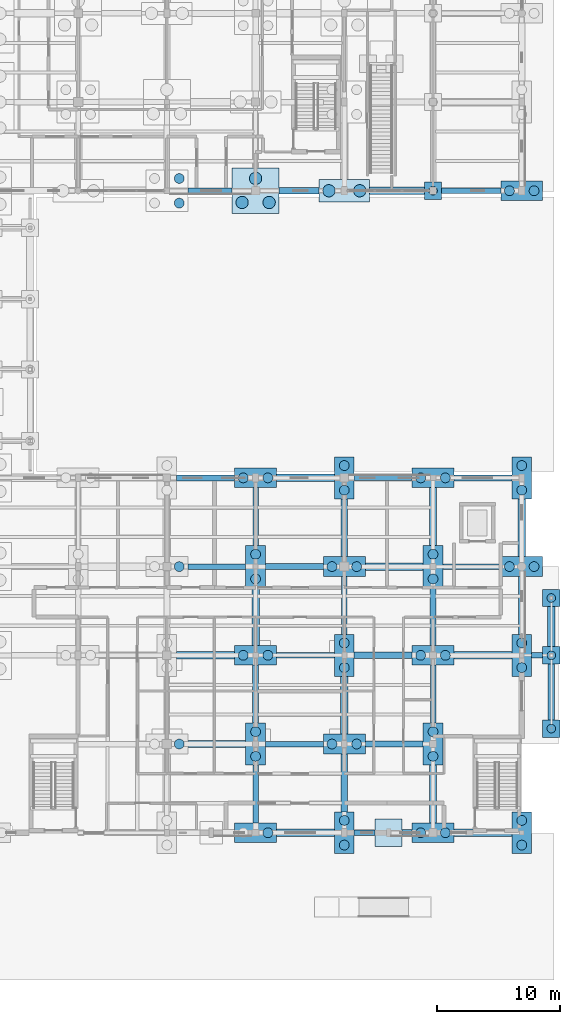
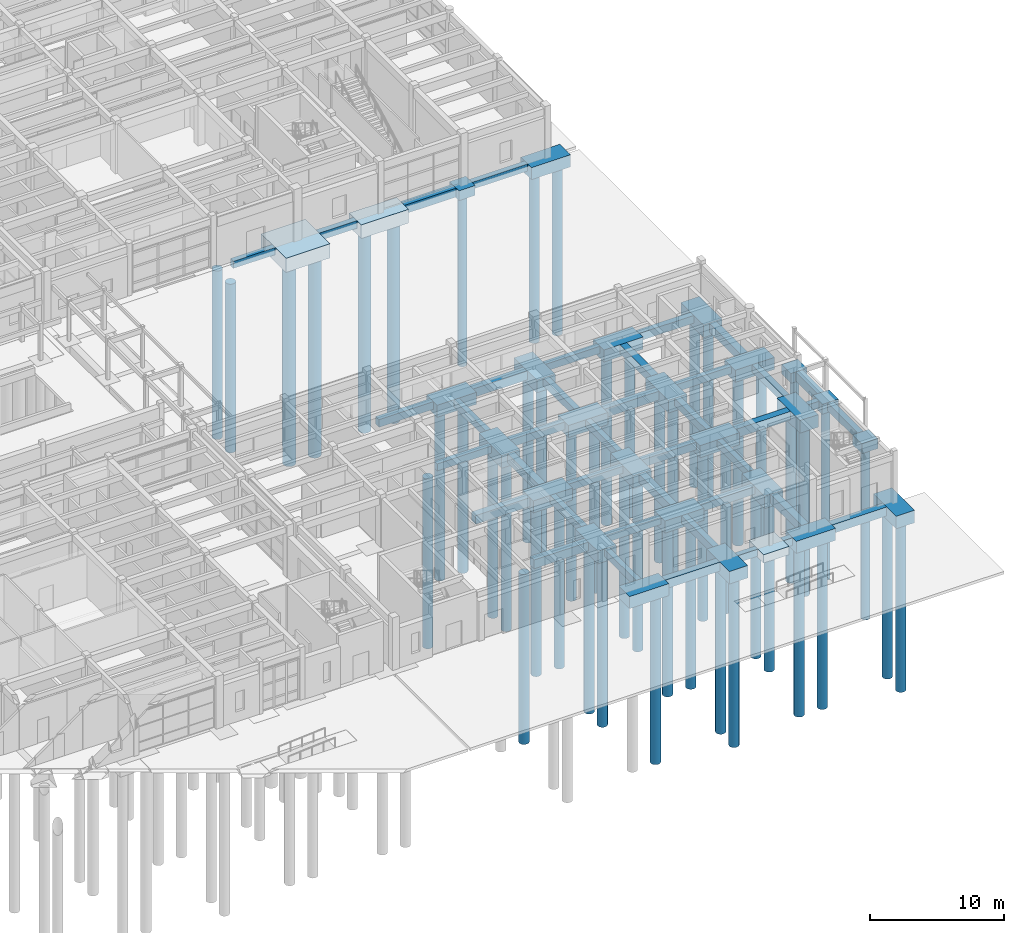
# One storey, part 11 of 143: 67 footings, 52 piles.
"""IFC4 building model written with IfcOpenShell, lengths in metres."""

from ifc_helpers import new_model, si_unit, direction, frame, origin, origin_2d, place, context, subcontext, project, spatial, rectangle, circle, extrude, material, material_profile, profile_set, type_object, element, save


model = new_model("IFC4")

# Units and contexts
model_context = context("Model", 3, precision=1e-05, world=origin(), true_north=direction((0.0, 1.0)))
body_context = subcontext(model_context, "Body", "Model", "MODEL_VIEW")
ifc_project = project(units=[si_unit("LENGTHUNIT", "METRE"), si_unit("AREAUNIT", "SQUARE_METRE"), si_unit("VOLUMEUNIT", "CUBIC_METRE"), si_unit("PLANEANGLEUNIT", "RADIAN"), si_unit("MASSUNIT", "GRAM", prefix="KILO")], contexts=[model_context])

# Site, building, storey
site_placement = place(None, origin())
site = spatial("IfcSite", under=ifc_project, at=site_placement, CompositionType="ELEMENT")
building_placement = place(site_placement, origin())
building = spatial("IfcBuilding", under=site, at=building_placement, Name="Steenspoor Specialist Clinic", CompositionType="ELEMENT")
storey_placement = place(building_placement, origin())
storey = spatial("IfcBuildingStorey", under=building, at=storey_placement, Name="L00", CompositionType="ELEMENT", Elevation=0.0)

# Footings
ifc_material = material(Name="Concrete C35/45", Category="concrete")
footing_type_1 = type_object("IfcFootingType", Name="FTG-PAD-220", PredefinedType="PAD_FOOTING", material=ifc_material)
footing_1_placement = place(storey_placement, frame((150.39990234375, 13.050048828125, -0.75), z_axis=(0.0, 0.0, 1.0), x_axis=(1.0, 0.0, 0.0)))
element("IfcFooting", 1, at=footing_1_placement, inside=storey, type_object=footing_type_1, Name="Pad Footing FTG-PAD-070", PredefinedType="PAD_FOOTING", context=body_context, shape_type="SweptSolid", body=[
    extrude(rectangle(XDim=2.199951171875, YDim=2.199951171875, at=origin_2d()), origin(), (0.0, 0.0, 1.0), 0.75),
])
footing_type_2 = type_object("IfcFootingType", Name="FTG-PC-1P-700", PredefinedType="PILE_CAP", material=ifc_material)
for number, where, z_axis, x_axis, name in (
    (2, (154.0, 65.14990234375, -0.89990234375), (0.0, 0.0, 1.0), (1.0, 0.0, 0.0), "Pile Cap FTG-PC-227"),
    (3, (163.60009765625, 21.5, -0.89990234375), (0.0, 0.0, 1.0), (1.0, 0.0, 0.0), "Pad Footing FTG-PAD-003"),
    (4, (163.60009765625, 27.449951171875, -0.89990234375), (0.0, 0.0, 1.0), (1.0, 0.0, 0.0), "Pad Footing FTG-PAD-004"),
    (5, (163.60009765625, 32.10009765625, -0.89990234375), (0.0, 0.0, 1.0), (1.0, 0.0, 0.0), "Pad Footing FTG-PAD-005"),
):
    element("IfcFooting", number, at=place(storey_placement, frame(where, z_axis=z_axis, x_axis=x_axis)), inside=storey, type_object=footing_type_2, Name=name, PredefinedType="PILE_CAP", context=body_context, shape_type="SweptSolid", body=[
        extrude(rectangle(XDim=1.39990234375, YDim=1.39990234375, at=origin_2d()), origin(), (0.0, 0.0, 1.0), 0.89990234375),
    ])
footing_type_3 = type_object("IfcFootingType", Name="FTG-PC-2P-1000", PredefinedType="PILE_CAP", material=ifc_material)
footing_2_placement = place(storey_placement, frame((146.800048828125, 65.14990234375, -1.25), z_axis=(0.0, 0.0, 1.0), x_axis=(1.0, 0.0, 0.0)))
element("IfcFooting", 6, at=footing_2_placement, inside=storey, type_object=footing_type_3, Name="Pile Cap FTG-PC-220", PredefinedType="PILE_CAP", context=body_context, shape_type="SweptSolid", body=[
    extrude(rectangle(XDim=4.10009765625, YDim=1.800048828125, at=origin_2d()), origin(), (0.0, 0.0, 1.0), 1.25),
])
footing_type_4 = type_object("IfcFootingType", Name="FTG-PC-2P-800X", PredefinedType="PILE_CAP", material=ifc_material)
for number, where, z_axis, x_axis, name in (
    (7, (139.60009765625, 13.050048828125, -1.10009765625), (0.0, 0.0, 1.0), (1.0, 0.0, 0.0), "Pile Cap FTG-PC-062"),
    (8, (139.60009765625, 27.449951171875, -1.10009765625), (0.0, 0.0, 1.0), (1.0, 0.0, 0.0), "Pile Cap FTG-PC-064"),
    (9, (139.60009765625, 41.85009765625, -1.10009765625), (0.0, 0.0, 1.0), (1.0, 0.0, 0.0), "Pile Cap FTG-PC-066"),
    (10, (146.800048828125, 20.25, -1.10009765625), (0.0, 0.0, 1.0), (1.0, 0.0, 0.0), "Pile Cap FTG-PC-068"),
    (11, (146.800048828125, 34.64990234375, -1.10009765625), (0.0, 0.0, 1.0), (1.0, 0.0, 0.0), "Pile Cap FTG-PC-070"),
    (12, (154.0, 13.050048828125, -1.10009765625), (0.0, 0.0, 1.0), (1.0, 0.0, 0.0), "Pile Cap FTG-PC-072"),
    (13, (154.0, 27.449951171875, -1.10009765625), (0.0, 0.0, 1.0), (1.0, 0.0, 0.0), "Pile Cap FTG-PC-074"),
    (14, (154.0, 41.85009765625, -1.10009765625), (0.0, 0.0, 1.0), (1.0, 0.0, 0.0), "Pile Cap FTG-PC-076"),
    (15, (161.199951171875, 34.64990234375, -1.10009765625), (0.0, 0.0, 1.0), (1.0, 0.0, 0.0), "Pile Cap FTG-PC-078"),
    (16, (161.199951171875, 65.14990234375, -1.10009765625), (0.0, 0.0, 1.0), (1.0, 0.0, 0.0), "Pile Cap FTG-PC-232"),
):
    element("IfcFooting", number, at=place(storey_placement, frame(where, z_axis=z_axis, x_axis=x_axis)), inside=storey, type_object=footing_type_4, Name=name, PredefinedType="PILE_CAP", context=body_context, shape_type="SweptSolid", body=[
        extrude(rectangle(XDim=3.39990234375, YDim=1.60009765625, at=origin_2d()), origin(), (0.0, 0.0, 1.0), 1.10009765625),
    ])
footing_type_5 = type_object("IfcFootingType", Name="FTG-PC-2P-800Y", PredefinedType="PILE_CAP", material=ifc_material)
for number, where, z_axis, x_axis, name in (
    (17, (139.60009765625, 20.25, -1.14990234375), (0.0, 0.0, 1.0), (1.0, 0.0, 0.0), "Pile Cap FTG-PC-063"),
    (18, (139.60009765625, 34.64990234375, -1.14990234375), (0.0, 0.0, 1.0), (1.0, 0.0, 0.0), "Pile Cap FTG-PC-065"),
    (19, (146.800048828125, 13.050048828125, -1.14990234375), (0.0, 0.0, 1.0), (1.0, 0.0, 0.0), "Pile Cap FTG-PC-067"),
    (20, (146.800048828125, 27.449951171875, -1.14990234375), (0.0, 0.0, 1.0), (1.0, 0.0, 0.0), "Pile Cap FTG-PC-069"),
    (21, (146.800048828125, 41.85009765625, -1.14990234375), (0.0, 0.0, 1.0), (1.0, 0.0, 0.0), "Pile Cap FTG-PC-071"),
    (22, (154.0, 20.25, -1.14990234375), (0.0, 0.0, 1.0), (1.0, 0.0, 0.0), "Pile Cap FTG-PC-073"),
    (23, (154.0, 34.64990234375, -1.14990234375), (0.0, 0.0, 1.0), (1.0, 0.0, 0.0), "Pile Cap FTG-PC-075"),
    (24, (161.199951171875, 27.449951171875, -1.14990234375), (0.0, 0.0, 1.0), (1.0, 0.0, 0.0), "Pile Cap FTG-PC-077"),
    (25, (161.199951171875, 41.85009765625, -1.14990234375), (0.0, 0.0, 1.0), (1.0, 0.0, 0.0), "Pile Cap FTG-PC-079"),
    (26, (161.199951171875, 13.050048828125, -1.14990234375), (0.0, 0.0, 1.0), (1.0, 0.0, 0.0), "Pile Cap FTG-PC-237"),
):
    element("IfcFooting", number, at=place(storey_placement, frame(where, z_axis=z_axis, x_axis=x_axis)), inside=storey, type_object=footing_type_5, Name=name, PredefinedType="PILE_CAP", context=body_context, shape_type="SweptSolid", body=[
        extrude(rectangle(XDim=1.60009765625, YDim=3.39990234375, at=origin_2d()), origin(), (0.0, 0.0, 1.0), 1.14990234375),
    ])
footing_type_6 = type_object("IfcFootingType", Name="FTG-PC-3P-1000", PredefinedType="PILE_CAP", material=ifc_material)
footing_3_placement = place(storey_placement, frame((139.60009765625, 65.14990234375, -1.2998046875), z_axis=(0.0, 0.0, 1.0), x_axis=(1.0, 0.0, 0.0)))
element("IfcFooting", 27, at=footing_3_placement, inside=storey, type_object=footing_type_6, Name="Pile Cap FTG-PC-213", PredefinedType="PILE_CAP", context=body_context, shape_type="SweptSolid", body=[
    extrude(rectangle(XDim=3.800048828125, YDim=3.699951171875, at=origin_2d()), origin(), (0.0, 0.0, 1.0), 1.300048828125),
])
footing_type_7 = type_object("IfcFootingType", Name="FTG-TB-450X650", PredefinedType="FOOTING_BEAM", material=ifc_material)
footing_4_placement = place(storey_placement, frame((148.449951171875, 13.050048828125, -0.64990234375), z_axis=(0.0, 0.0, 1.0), x_axis=(1.0, 0.0, 0.0)))
element("IfcFooting", 28, at=footing_4_placement, inside=storey, type_object=footing_type_7, Name="Seismic Tie Beam FTG-TB-017", PredefinedType="FOOTING_BEAM", context=body_context, shape_type="SweptSolid", body=[
    extrude(rectangle(XDim=1.699951171875, YDim=0.449951171875, at=origin_2d()), origin(), (0.0, 0.0, 1.0), 0.64990234375),
])
for number, where, z_axis, x_axis, name in (
    (29, (142.75, 20.25, -0.64990234375), (0.0, 0.0, 1.0), (1.0, 0.0, 0.0), "Seismic Tie Beam FTG-TB-029"),
    (30, (143.64990234375, 27.449951171875, -0.64990234375), (0.0, 0.0, 1.0), (1.0, 0.0, 0.0), "Seismic Tie Beam FTG-TB-044"),
):
    element("IfcFooting", number, at=place(storey_placement, frame(where, z_axis=z_axis, x_axis=x_axis)), inside=storey, type_object=footing_type_7, Name=name, PredefinedType="FOOTING_BEAM", context=body_context, shape_type="SweptSolid", body=[
        extrude(rectangle(XDim=4.699951171875, YDim=0.449951171875, at=origin_2d()), origin(), (0.0, 0.0, 1.0), 0.64990234375),
    ])
footing_5_placement = place(storey_placement, frame((162.449951171875, 27.449951171875, -0.64990234375), z_axis=(0.0, 0.0, 1.0), x_axis=(1.0, 0.0, 0.0)))
element("IfcFooting", 31, at=footing_5_placement, inside=storey, type_object=footing_type_7, Name="Seismic Tie Beam FTG-TB-047", PredefinedType="FOOTING_BEAM", context=body_context, shape_type="SweptSolid", body=[
    extrude(rectangle(XDim=0.89990234375, YDim=0.449951171875, at=origin_2d()), origin(), (0.0, 0.0, 1.0), 0.64990234375),
])
for number, where, z_axis, x_axis, name in (
    (32, (136.449951171875, 34.64990234375, -0.64990234375), (0.0, 0.0, 1.0), (1.0, 0.0, 0.0), "Seismic Tie Beam FTG-TB-065"),
    (33, (157.14990234375, 34.64990234375, -0.64990234375), (0.0, 0.0, 1.0), (1.0, 0.0, 0.0), "Seismic Tie Beam FTG-TB-068"),
    (34, (149.949951171875, 41.85009765625, -0.64990234375), (0.0, 0.0, 1.0), (1.0, 0.0, 0.0), "Seismic Tie Beam FTG-TB-089"),
):
    element("IfcFooting", number, at=place(storey_placement, frame(where, z_axis=z_axis, x_axis=x_axis)), inside=storey, type_object=footing_type_7, Name=name, PredefinedType="FOOTING_BEAM", context=body_context, shape_type="SweptSolid", body=[
        extrude(rectangle(XDim=4.699951171875, YDim=0.449951171875, at=origin_2d()), origin(), (0.0, 0.0, 1.0), 0.64990234375),
    ])
footing_6_placement = place(storey_placement, frame((135.89990234375, 65.14990234375, -0.64990234375), z_axis=(0.0, 0.0, 1.0), x_axis=(1.0, 0.0, 0.0)))
element("IfcFooting", 35, at=footing_6_placement, inside=storey, type_object=footing_type_7, Name="Seismic Tie Beam FTG-TB-146", PredefinedType="FOOTING_BEAM", context=body_context, shape_type="SweptSolid", body=[
    extrude(rectangle(XDim=3.60009765625, YDim=0.449951171875, at=origin_2d()), origin(), (0.0, 0.0, 1.0), 0.64990234375),
])
footing_7_placement = place(storey_placement, frame((157.10009765625, 65.14990234375, -0.64990234375), z_axis=(0.0, 0.0, 1.0), x_axis=(1.0, 0.0, 0.0)))
element("IfcFooting", 36, at=footing_7_placement, inside=storey, type_object=footing_type_7, Name="Seismic Tie Beam FTG-TB-149", PredefinedType="FOOTING_BEAM", context=body_context, shape_type="SweptSolid", body=[
    extrude(rectangle(XDim=4.800048828125, YDim=0.449951171875, at=origin_2d()), origin(), (0.0, 0.0, 1.0), 0.64990234375),
])
for number, where, z_axis, x_axis, name in (
    (37, (139.60009765625, 16.199951171875, -0.64990234375), (0.0, 0.0, 1.0), (1.0, 0.0, 0.0), "Seismic Tie Beam FTG-TB-437"),
    (38, (139.60009765625, 38.699951171875, -0.64990234375), (0.0, 0.0, 1.0), (1.0, 0.0, 0.0), "Seismic Tie Beam FTG-TB-440"),
    (39, (146.800048828125, 31.5, -0.64990234375), (0.0, 0.0, 1.0), (1.0, 0.0, 0.0), "Seismic Tie Beam FTG-TB-449"),
    (40, (154.0, 24.300048828125, -0.64990234375), (0.0, 0.0, 1.0), (1.0, 0.0, 0.0), "Seismic Tie Beam FTG-TB-458"),
):
    element("IfcFooting", number, at=place(storey_placement, frame(where, z_axis=z_axis, x_axis=x_axis)), inside=storey, type_object=footing_type_7, Name=name, PredefinedType="FOOTING_BEAM", context=body_context, shape_type="SweptSolid", body=[
        extrude(rectangle(XDim=0.449951171875, YDim=4.699951171875, at=origin_2d()), origin(), (0.0, 0.0, 1.0), 0.64990234375),
    ])
footing_type_8 = type_object("IfcFootingType", Name="FTG-TB-500X700", PredefinedType="FOOTING_BEAM", material=ifc_material)
footing_8_placement = place(storey_placement, frame((151.89990234375, 13.050048828125, -0.7001953125), z_axis=(0.0, 0.0, 1.0), x_axis=(1.0, 0.0, 0.0)))
element("IfcFooting", 41, at=footing_8_placement, inside=storey, type_object=footing_type_8, Name="Seismic Tie Beam FTG-TB-018", PredefinedType="FOOTING_BEAM", context=body_context, shape_type="SweptSolid", body=[
    extrude(rectangle(XDim=0.800048828125, YDim=0.5, at=origin_2d()), origin(), (0.0, 0.0, 1.0), 0.699951171875),
])
for number, where, z_axis, x_axis, name in (
    (42, (150.85009765625, 20.25, -0.7001953125), (0.0, 0.0, 1.0), (1.0, 0.0, 0.0), "Seismic Tie Beam FTG-TB-030"),
    (43, (149.949951171875, 27.449951171875, -0.7001953125), (0.0, 0.0, 1.0), (1.0, 0.0, 0.0), "Seismic Tie Beam FTG-TB-045"),
    (44, (142.75, 34.64990234375, -0.7001953125), (0.0, 0.0, 1.0), (1.0, 0.0, 0.0), "Seismic Tie Beam FTG-TB-066"),
    (45, (135.550048828125, 41.85009765625, -0.7001953125), (0.0, 0.0, 1.0), (1.0, 0.0, 0.0), "Seismic Tie Beam FTG-TB-087"),
    (46, (158.050048828125, 41.85009765625, -0.7001953125), (0.0, 0.0, 1.0), (1.0, 0.0, 0.0), "Seismic Tie Beam FTG-TB-090"),
):
    element("IfcFooting", number, at=place(storey_placement, frame(where, z_axis=z_axis, x_axis=x_axis)), inside=storey, type_object=footing_type_8, Name=name, PredefinedType="FOOTING_BEAM", context=body_context, shape_type="SweptSolid", body=[
        extrude(rectangle(XDim=4.699951171875, YDim=0.5, at=origin_2d()), origin(), (0.0, 0.0, 1.0), 0.699951171875),
    ])
footing_9_placement = place(storey_placement, frame((143.125, 65.14990234375, -0.7001953125), z_axis=(0.0, 0.0, 1.0), x_axis=(1.0, 0.0, 0.0)))
element("IfcFooting", 47, at=footing_9_placement, inside=storey, type_object=footing_type_8, Name="Seismic Tie Beam FTG-TB-147", PredefinedType="FOOTING_BEAM", context=body_context, shape_type="SweptSolid", body=[
    extrude(rectangle(XDim=3.25, YDim=0.5, at=origin_2d()), origin(), (0.0, 0.0, 1.0), 0.699951171875),
])
for number, where, z_axis, x_axis, name in (
    (48, (139.60009765625, 24.300048828125, -0.7001953125), (0.0, 0.0, 1.0), (1.0, 0.0, 0.0), "Seismic Tie Beam FTG-TB-438"),
    (49, (146.800048828125, 17.10009765625, -0.7001953125), (0.0, 0.0, 1.0), (1.0, 0.0, 0.0), "Seismic Tie Beam FTG-TB-447"),
    (50, (146.800048828125, 37.800048828125, -0.7001953125), (0.0, 0.0, 1.0), (1.0, 0.0, 0.0), "Seismic Tie Beam FTG-TB-450"),
    (51, (154.0, 30.60009765625, -0.7001953125), (0.0, 0.0, 1.0), (1.0, 0.0, 0.0), "Seismic Tie Beam FTG-TB-459"),
    (52, (161.199951171875, 31.5, -0.7001953125), (0.0, 0.0, 1.0), (1.0, 0.0, 0.0), "Seismic Tie Beam FTG-TB-465"),
):
    element("IfcFooting", number, at=place(storey_placement, frame(where, z_axis=z_axis, x_axis=x_axis)), inside=storey, type_object=footing_type_8, Name=name, PredefinedType="FOOTING_BEAM", context=body_context, shape_type="SweptSolid", body=[
        extrude(rectangle(XDim=0.5, YDim=4.699951171875, at=origin_2d()), origin(), (0.0, 0.0, 1.0), 0.699951171875),
    ])
footing_10_placement = place(storey_placement, frame((163.60009765625, 24.47509765625, -0.7001953125), z_axis=(0.0, 0.0, 1.0), x_axis=(1.0, 0.0, 0.0)))
element("IfcFooting", 53, at=footing_10_placement, inside=storey, type_object=footing_type_8, Name="Seismic Tie Beam FTG-TB-471", PredefinedType="FOOTING_BEAM", context=body_context, shape_type="SweptSolid", body=[
    extrude(rectangle(XDim=0.5, YDim=4.550048828125, at=origin_2d()), origin(), (0.0, 0.0, 1.0), 0.699951171875),
])
footing_type_9 = type_object("IfcFootingType", Name="FTG-TB-600X800", PredefinedType="FOOTING_BEAM", material=ifc_material)
for number, where, z_axis, x_axis, name in (
    (54, (143.64990234375, 13.050048828125, -0.7998046875), (0.0, 0.0, 1.0), (1.0, 0.0, 0.0), "Seismic Tie Beam FTG-TB-016"),
    (55, (158.050048828125, 13.050048828125, -0.7998046875), (0.0, 0.0, 1.0), (1.0, 0.0, 0.0), "Seismic Tie Beam FTG-TB-019"),
    (56, (136.449951171875, 20.25, -0.7998046875), (0.0, 0.0, 1.0), (1.0, 0.0, 0.0), "Seismic Tie Beam FTG-TB-028"),
    (57, (135.550048828125, 27.449951171875, -0.7998046875), (0.0, 0.0, 1.0), (1.0, 0.0, 0.0), "Seismic Tie Beam FTG-TB-043"),
    (58, (158.050048828125, 27.449951171875, -0.7998046875), (0.0, 0.0, 1.0), (1.0, 0.0, 0.0), "Seismic Tie Beam FTG-TB-046"),
    (59, (150.85009765625, 34.64990234375, -0.7998046875), (0.0, 0.0, 1.0), (1.0, 0.0, 0.0), "Seismic Tie Beam FTG-TB-067"),
    (60, (143.64990234375, 41.85009765625, -0.7998046875), (0.0, 0.0, 1.0), (1.0, 0.0, 0.0), "Seismic Tie Beam FTG-TB-088"),
):
    element("IfcFooting", number, at=place(storey_placement, frame(where, z_axis=z_axis, x_axis=x_axis)), inside=storey, type_object=footing_type_9, Name=name, PredefinedType="FOOTING_BEAM", context=body_context, shape_type="SweptSolid", body=[
        extrude(rectangle(XDim=4.699951171875, YDim=0.60009765625, at=origin_2d()), origin(), (0.0, 0.0, 1.0), 0.800048828125),
    ])
footing_11_placement = place(storey_placement, frame((151.074951171875, 65.14990234375, -0.7998046875), z_axis=(0.0, 0.0, 1.0), x_axis=(1.0, 0.0, 0.0)))
element("IfcFooting", 61, at=footing_11_placement, inside=storey, type_object=footing_type_9, Name="Seismic Tie Beam FTG-TB-148", PredefinedType="FOOTING_BEAM", context=body_context, shape_type="SweptSolid", body=[
    extrude(rectangle(XDim=4.449951171875, YDim=0.60009765625, at=origin_2d()), origin(), (0.0, 0.0, 1.0), 0.800048828125),
])
for number, where, z_axis, x_axis, name in (
    (62, (139.60009765625, 30.60009765625, -0.7998046875), (0.0, 0.0, 1.0), (1.0, 0.0, 0.0), "Seismic Tie Beam FTG-TB-439"),
    (63, (146.800048828125, 23.39990234375, -0.7998046875), (0.0, 0.0, 1.0), (1.0, 0.0, 0.0), "Seismic Tie Beam FTG-TB-448"),
    (64, (154.0, 16.199951171875, -0.7998046875), (0.0, 0.0, 1.0), (1.0, 0.0, 0.0), "Seismic Tie Beam FTG-TB-457"),
    (65, (154.0, 38.699951171875, -0.7998046875), (0.0, 0.0, 1.0), (1.0, 0.0, 0.0), "Seismic Tie Beam FTG-TB-460"),
    (66, (161.199951171875, 37.800048828125, -0.7998046875), (0.0, 0.0, 1.0), (1.0, 0.0, 0.0), "Seismic Tie Beam FTG-TB-466"),
):
    element("IfcFooting", number, at=place(storey_placement, frame(where, z_axis=z_axis, x_axis=x_axis)), inside=storey, type_object=footing_type_9, Name=name, PredefinedType="FOOTING_BEAM", context=body_context, shape_type="SweptSolid", body=[
        extrude(rectangle(XDim=0.60009765625, YDim=4.699951171875, at=origin_2d()), origin(), (0.0, 0.0, 1.0), 0.800048828125),
    ])
footing_12_placement = place(storey_placement, frame((163.60009765625, 29.77490234375, -0.7998046875), z_axis=(0.0, 0.0, 1.0), x_axis=(1.0, 0.0, 0.0)))
element("IfcFooting", 67, at=footing_12_placement, inside=storey, type_object=footing_type_9, Name="Seismic Tie Beam FTG-TB-472", PredefinedType="FOOTING_BEAM", context=body_context, shape_type="SweptSolid", body=[
    extrude(rectangle(XDim=0.60009765625, YDim=3.25, at=origin_2d()), origin(), (0.0, 0.0, 1.0), 0.800048828125),
])

# Piles
ifc_material_profile_1 = material_profile(ifc_material, circle(Radius=0.5, at=origin_2d()), Name="PILE-D1000")
ifc_profile_set_1 = profile_set([ifc_material_profile_1], Name="Concrete C35/45")
pile_type_1 = type_object("IfcPileType", Name="PILE-RC-D1000", PredefinedType="BORED", material=ifc_profile_set_1)
for number, where, z_axis, x_axis, name in (
    (68, (138.5, 64.199951171875, -1.199951171875), (0.0, 0.0, -1.0), (1.0, 0.0, 0.0), "Bored Pile PILE-0552"),
    (69, (140.699951171875, 64.199951171875, -1.199951171875), (0.0, 0.0, -1.0), (1.0, 0.0, 0.0), "Bored Pile PILE-0553"),
    (70, (139.60009765625, 66.14990234375, -1.199951171875), (0.0, 0.0, -1.0), (1.0, 0.0, 0.0), "Bored Pile PILE-0554"),
):
    element("IfcPile", number, at=place(storey_placement, frame(where, z_axis=z_axis, x_axis=x_axis)), inside=storey, type_object=pile_type_1, Name=name, PredefinedType="BORED", context=body_context, shape_type="SweptSolid", body=[
        extrude(circle(Radius=0.5, at=origin_2d()), origin(), (0.0, 0.0, 1.0), 18.300048828125),
    ])
for number, where, z_axis, x_axis, name in (
    (71, (145.550048828125, 65.14990234375, -1.14990234375), (0.0, 0.0, -1.0), (1.0, 0.0, 0.0), "Bored Pile PILE-0573"),
    (72, (148.050048828125, 65.14990234375, -1.14990234375), (0.0, 0.0, -1.0), (1.0, 0.0, 0.0), "Bored Pile PILE-0574"),
):
    element("IfcPile", number, at=place(storey_placement, frame(where, z_axis=z_axis, x_axis=x_axis)), inside=storey, type_object=pile_type_1, Name=name, PredefinedType="BORED", context=body_context, shape_type="SweptSolid", body=[
        extrude(circle(Radius=0.5, at=origin_2d()), origin(), (0.0, 0.0, 1.0), 18.35009765625),
    ])
ifc_material_profile_2 = material_profile(ifc_material, circle(Radius=0.35009765625, at=origin_2d()), Name="PILE-D700")
ifc_profile_set_2 = profile_set([ifc_material_profile_2], Name="Concrete C35/45")
pile_type_2 = type_object("IfcPileType", Name="PILE-RC-D700", PredefinedType="BORED", material=ifc_profile_set_2)
for number, where, z_axis, x_axis, name in (
    (73, (154.0, 65.14990234375, -0.800048828125), (0.0, 0.0, -1.0), (1.0, 0.0, 0.0), "Bored Pile PILE-0593"),
    (74, (163.60009765625, 21.5, -0.800048828125), (0.0, 0.0, -1.0), (1.0, 0.0, 0.0), "Bored Pile PILE-0612"),
    (75, (163.60009765625, 27.449951171875, -0.800048828125), (0.0, 0.0, -1.0), (1.0, 0.0, 0.0), "Bored Pile PILE-0613"),
    (76, (163.60009765625, 32.10009765625, -0.800048828125), (0.0, 0.0, -1.0), (1.0, 0.0, 0.0), "Bored Pile PILE-0614"),
):
    element("IfcPile", number, at=place(storey_placement, frame(where, z_axis=z_axis, x_axis=x_axis)), inside=storey, type_object=pile_type_2, Name=name, PredefinedType="BORED", context=body_context, shape_type="SweptSolid", body=[
        extrude(circle(Radius=0.35009765625, at=origin_2d()), origin(), (0.0, 0.0, 1.0), 15.699951171875),
    ])
ifc_material_profile_3 = material_profile(ifc_material, circle(Radius=0.39990234375, at=origin_2d()), Name="PILE-D800")
ifc_profile_set_3 = profile_set([ifc_material_profile_3], Name="Concrete C35/45")
pile_type_3 = type_object("IfcPileType", Name="PILE-RC-D800", PredefinedType="BORED", material=ifc_profile_set_3)
for number, where, z_axis, x_axis, name in (
    (77, (133.39990234375, 20.25, -1.0), (0.0, 0.0, -1.0), (1.0, 0.0, 0.0), "Bored Pile PILE-0117"),
    (78, (133.39990234375, 34.64990234375, -1.0), (0.0, 0.0, -1.0), (1.0, 0.0, 0.0), "Bored Pile PILE-0121"),
    (79, (140.60009765625, 13.050048828125, -1.0), (0.0, 0.0, -1.0), (1.0, 0.0, 0.0), "Bored Pile PILE-0125"),
):
    element("IfcPile", number, at=place(storey_placement, frame(where, z_axis=z_axis, x_axis=x_axis)), inside=storey, type_object=pile_type_3, Name=name, PredefinedType="BORED", context=body_context, shape_type="SweptSolid", body=[
        extrude(circle(Radius=0.39990234375, at=origin_2d()), origin(), (0.0, 0.0, 1.0), 15.5),
    ])
for number, where, z_axis, x_axis, name in (
    (80, (139.60009765625, 19.25, -1.050048828125), (0.0, 0.0, -1.0), (1.0, 0.0, 0.0), "Bored Pile PILE-0126"),
    (81, (139.60009765625, 21.25, -1.050048828125), (0.0, 0.0, -1.0), (1.0, 0.0, 0.0), "Bored Pile PILE-0127"),
):
    element("IfcPile", number, at=place(storey_placement, frame(where, z_axis=z_axis, x_axis=x_axis)), inside=storey, type_object=pile_type_3, Name=name, PredefinedType="BORED", context=body_context, shape_type="SweptSolid", body=[
        extrude(circle(Radius=0.39990234375, at=origin_2d()), origin(), (0.0, 0.0, 1.0), 15.449951171875),
    ])
for number, where, z_axis, x_axis, name in (
    (82, (138.60009765625, 27.449951171875, -1.0), (0.0, 0.0, -1.0), (1.0, 0.0, 0.0), "Bored Pile PILE-0128"),
    (83, (140.60009765625, 27.449951171875, -1.0), (0.0, 0.0, -1.0), (1.0, 0.0, 0.0), "Bored Pile PILE-0129"),
):
    element("IfcPile", number, at=place(storey_placement, frame(where, z_axis=z_axis, x_axis=x_axis)), inside=storey, type_object=pile_type_3, Name=name, PredefinedType="BORED", context=body_context, shape_type="SweptSolid", body=[
        extrude(circle(Radius=0.39990234375, at=origin_2d()), origin(), (0.0, 0.0, 1.0), 15.5),
    ])
for number, where, z_axis, x_axis, name in (
    (84, (139.60009765625, 33.64990234375, -1.050048828125), (0.0, 0.0, -1.0), (1.0, 0.0, 0.0), "Bored Pile PILE-0130"),
    (85, (139.60009765625, 35.64990234375, -1.050048828125), (0.0, 0.0, -1.0), (1.0, 0.0, 0.0), "Bored Pile PILE-0131"),
):
    element("IfcPile", number, at=place(storey_placement, frame(where, z_axis=z_axis, x_axis=x_axis)), inside=storey, type_object=pile_type_3, Name=name, PredefinedType="BORED", context=body_context, shape_type="SweptSolid", body=[
        extrude(circle(Radius=0.39990234375, at=origin_2d()), origin(), (0.0, 0.0, 1.0), 15.449951171875),
    ])
for number, where, z_axis, x_axis, name in (
    (86, (138.60009765625, 41.85009765625, -1.0), (0.0, 0.0, -1.0), (1.0, 0.0, 0.0), "Bored Pile PILE-0132"),
    (87, (140.60009765625, 41.85009765625, -1.0), (0.0, 0.0, -1.0), (1.0, 0.0, 0.0), "Bored Pile PILE-0133"),
):
    element("IfcPile", number, at=place(storey_placement, frame(where, z_axis=z_axis, x_axis=x_axis)), inside=storey, type_object=pile_type_3, Name=name, PredefinedType="BORED", context=body_context, shape_type="SweptSolid", body=[
        extrude(circle(Radius=0.39990234375, at=origin_2d()), origin(), (0.0, 0.0, 1.0), 15.5),
    ])
for number, where, z_axis, x_axis, name in (
    (88, (146.800048828125, 12.050048828125, -1.050048828125), (0.0, 0.0, -1.0), (1.0, 0.0, 0.0), "Bored Pile PILE-0134"),
    (89, (146.800048828125, 14.050048828125, -1.050048828125), (0.0, 0.0, -1.0), (1.0, 0.0, 0.0), "Bored Pile PILE-0135"),
):
    element("IfcPile", number, at=place(storey_placement, frame(where, z_axis=z_axis, x_axis=x_axis)), inside=storey, type_object=pile_type_3, Name=name, PredefinedType="BORED", context=body_context, shape_type="SweptSolid", body=[
        extrude(circle(Radius=0.39990234375, at=origin_2d()), origin(), (0.0, 0.0, 1.0), 15.449951171875),
    ])
for number, where, z_axis, x_axis, name in (
    (90, (145.800048828125, 20.25, -1.0), (0.0, 0.0, -1.0), (1.0, 0.0, 0.0), "Bored Pile PILE-0136"),
    (91, (147.800048828125, 20.25, -1.0), (0.0, 0.0, -1.0), (1.0, 0.0, 0.0), "Bored Pile PILE-0137"),
):
    element("IfcPile", number, at=place(storey_placement, frame(where, z_axis=z_axis, x_axis=x_axis)), inside=storey, type_object=pile_type_3, Name=name, PredefinedType="BORED", context=body_context, shape_type="SweptSolid", body=[
        extrude(circle(Radius=0.39990234375, at=origin_2d()), origin(), (0.0, 0.0, 1.0), 15.5),
    ])
for number, where, z_axis, x_axis, name in (
    (92, (146.800048828125, 26.449951171875, -1.050048828125), (0.0, 0.0, -1.0), (1.0, 0.0, 0.0), "Bored Pile PILE-0138"),
    (93, (146.800048828125, 28.449951171875, -1.050048828125), (0.0, 0.0, -1.0), (1.0, 0.0, 0.0), "Bored Pile PILE-0139"),
):
    element("IfcPile", number, at=place(storey_placement, frame(where, z_axis=z_axis, x_axis=x_axis)), inside=storey, type_object=pile_type_3, Name=name, PredefinedType="BORED", context=body_context, shape_type="SweptSolid", body=[
        extrude(circle(Radius=0.39990234375, at=origin_2d()), origin(), (0.0, 0.0, 1.0), 15.449951171875),
    ])
for number, where, z_axis, x_axis, name in (
    (94, (145.800048828125, 34.64990234375, -1.0), (0.0, 0.0, -1.0), (1.0, 0.0, 0.0), "Bored Pile PILE-0140"),
    (95, (147.800048828125, 34.64990234375, -1.0), (0.0, 0.0, -1.0), (1.0, 0.0, 0.0), "Bored Pile PILE-0141"),
):
    element("IfcPile", number, at=place(storey_placement, frame(where, z_axis=z_axis, x_axis=x_axis)), inside=storey, type_object=pile_type_3, Name=name, PredefinedType="BORED", context=body_context, shape_type="SweptSolid", body=[
        extrude(circle(Radius=0.39990234375, at=origin_2d()), origin(), (0.0, 0.0, 1.0), 15.5),
    ])
for number, where, z_axis, x_axis, name in (
    (96, (146.800048828125, 40.85009765625, -1.050048828125), (0.0, 0.0, -1.0), (1.0, 0.0, 0.0), "Bored Pile PILE-0142"),
    (97, (146.800048828125, 42.85009765625, -1.050048828125), (0.0, 0.0, -1.0), (1.0, 0.0, 0.0), "Bored Pile PILE-0143"),
):
    element("IfcPile", number, at=place(storey_placement, frame(where, z_axis=z_axis, x_axis=x_axis)), inside=storey, type_object=pile_type_3, Name=name, PredefinedType="BORED", context=body_context, shape_type="SweptSolid", body=[
        extrude(circle(Radius=0.39990234375, at=origin_2d()), origin(), (0.0, 0.0, 1.0), 15.449951171875),
    ])
for number, where, z_axis, x_axis, name in (
    (98, (153.0, 13.050048828125, -1.0), (0.0, 0.0, -1.0), (1.0, 0.0, 0.0), "Bored Pile PILE-0144"),
    (99, (155.0, 13.050048828125, -1.0), (0.0, 0.0, -1.0), (1.0, 0.0, 0.0), "Bored Pile PILE-0145"),
):
    element("IfcPile", number, at=place(storey_placement, frame(where, z_axis=z_axis, x_axis=x_axis)), inside=storey, type_object=pile_type_3, Name=name, PredefinedType="BORED", context=body_context, shape_type="SweptSolid", body=[
        extrude(circle(Radius=0.39990234375, at=origin_2d()), origin(), (0.0, 0.0, 1.0), 15.5),
    ])
for number, where, z_axis, x_axis, name in (
    (100, (154.0, 19.25, -1.050048828125), (0.0, 0.0, -1.0), (1.0, 0.0, 0.0), "Bored Pile PILE-0146"),
    (101, (154.0, 21.25, -1.050048828125), (0.0, 0.0, -1.0), (1.0, 0.0, 0.0), "Bored Pile PILE-0147"),
):
    element("IfcPile", number, at=place(storey_placement, frame(where, z_axis=z_axis, x_axis=x_axis)), inside=storey, type_object=pile_type_3, Name=name, PredefinedType="BORED", context=body_context, shape_type="SweptSolid", body=[
        extrude(circle(Radius=0.39990234375, at=origin_2d()), origin(), (0.0, 0.0, 1.0), 15.449951171875),
    ])
for number, where, z_axis, x_axis, name in (
    (102, (153.0, 27.449951171875, -1.0), (0.0, 0.0, -1.0), (1.0, 0.0, 0.0), "Bored Pile PILE-0148"),
    (103, (155.0, 27.449951171875, -1.0), (0.0, 0.0, -1.0), (1.0, 0.0, 0.0), "Bored Pile PILE-0149"),
):
    element("IfcPile", number, at=place(storey_placement, frame(where, z_axis=z_axis, x_axis=x_axis)), inside=storey, type_object=pile_type_3, Name=name, PredefinedType="BORED", context=body_context, shape_type="SweptSolid", body=[
        extrude(circle(Radius=0.39990234375, at=origin_2d()), origin(), (0.0, 0.0, 1.0), 15.5),
    ])
for number, where, z_axis, x_axis, name in (
    (104, (154.0, 33.64990234375, -1.050048828125), (0.0, 0.0, -1.0), (1.0, 0.0, 0.0), "Bored Pile PILE-0150"),
    (105, (154.0, 35.64990234375, -1.050048828125), (0.0, 0.0, -1.0), (1.0, 0.0, 0.0), "Bored Pile PILE-0151"),
):
    element("IfcPile", number, at=place(storey_placement, frame(where, z_axis=z_axis, x_axis=x_axis)), inside=storey, type_object=pile_type_3, Name=name, PredefinedType="BORED", context=body_context, shape_type="SweptSolid", body=[
        extrude(circle(Radius=0.39990234375, at=origin_2d()), origin(), (0.0, 0.0, 1.0), 15.449951171875),
    ])
for number, where, z_axis, x_axis, name in (
    (106, (153.0, 41.85009765625, -1.0), (0.0, 0.0, -1.0), (1.0, 0.0, 0.0), "Bored Pile PILE-0152"),
    (107, (155.0, 41.85009765625, -1.0), (0.0, 0.0, -1.0), (1.0, 0.0, 0.0), "Bored Pile PILE-0153"),
):
    element("IfcPile", number, at=place(storey_placement, frame(where, z_axis=z_axis, x_axis=x_axis)), inside=storey, type_object=pile_type_3, Name=name, PredefinedType="BORED", context=body_context, shape_type="SweptSolid", body=[
        extrude(circle(Radius=0.39990234375, at=origin_2d()), origin(), (0.0, 0.0, 1.0), 15.5),
    ])
for number, where, z_axis, x_axis, name in (
    (108, (161.199951171875, 26.449951171875, -1.050048828125), (0.0, 0.0, -1.0), (1.0, 0.0, 0.0), "Bored Pile PILE-0154"),
    (109, (161.199951171875, 28.449951171875, -1.050048828125), (0.0, 0.0, -1.0), (1.0, 0.0, 0.0), "Bored Pile PILE-0155"),
):
    element("IfcPile", number, at=place(storey_placement, frame(where, z_axis=z_axis, x_axis=x_axis)), inside=storey, type_object=pile_type_3, Name=name, PredefinedType="BORED", context=body_context, shape_type="SweptSolid", body=[
        extrude(circle(Radius=0.39990234375, at=origin_2d()), origin(), (0.0, 0.0, 1.0), 15.449951171875),
    ])
for number, where, z_axis, x_axis, name in (
    (110, (160.199951171875, 34.64990234375, -1.0), (0.0, 0.0, -1.0), (1.0, 0.0, 0.0), "Bored Pile PILE-0156"),
    (111, (162.199951171875, 34.64990234375, -1.0), (0.0, 0.0, -1.0), (1.0, 0.0, 0.0), "Bored Pile PILE-0157"),
):
    element("IfcPile", number, at=place(storey_placement, frame(where, z_axis=z_axis, x_axis=x_axis)), inside=storey, type_object=pile_type_3, Name=name, PredefinedType="BORED", context=body_context, shape_type="SweptSolid", body=[
        extrude(circle(Radius=0.39990234375, at=origin_2d()), origin(), (0.0, 0.0, 1.0), 15.5),
    ])
for number, where, z_axis, x_axis, name in (
    (112, (161.199951171875, 40.85009765625, -1.050048828125), (0.0, 0.0, -1.0), (1.0, 0.0, 0.0), "Bored Pile PILE-0158"),
    (113, (161.199951171875, 42.85009765625, -1.050048828125), (0.0, 0.0, -1.0), (1.0, 0.0, 0.0), "Bored Pile PILE-0159"),
):
    element("IfcPile", number, at=place(storey_placement, frame(where, z_axis=z_axis, x_axis=x_axis)), inside=storey, type_object=pile_type_3, Name=name, PredefinedType="BORED", context=body_context, shape_type="SweptSolid", body=[
        extrude(circle(Radius=0.39990234375, at=origin_2d()), origin(), (0.0, 0.0, 1.0), 15.449951171875),
    ])
for number, where, z_axis, x_axis, name in (
    (114, (133.39990234375, 64.14990234375, -1.10009765625), (0.0, 0.0, -1.0), (1.0, 0.0, 0.0), "Bored Pile PILE-0531"),
    (115, (133.39990234375, 66.14990234375, -1.10009765625), (0.0, 0.0, -1.0), (1.0, 0.0, 0.0), "Bored Pile PILE-0533"),
):
    element("IfcPile", number, at=place(storey_placement, frame(where, z_axis=z_axis, x_axis=x_axis)), inside=storey, type_object=pile_type_3, Name=name, PredefinedType="BORED", context=body_context, shape_type="SweptSolid", body=[
        extrude(circle(Radius=0.39990234375, at=origin_2d()), origin(), (0.0, 0.0, 1.0), 15.39990234375),
    ])
for number, where, z_axis, x_axis, name in (
    (116, (160.199951171875, 65.14990234375, -1.0), (0.0, 0.0, -1.0), (1.0, 0.0, 0.0), "Bored Pile PILE-0598"),
    (117, (162.199951171875, 65.14990234375, -1.0), (0.0, 0.0, -1.0), (1.0, 0.0, 0.0), "Bored Pile PILE-0599"),
):
    element("IfcPile", number, at=place(storey_placement, frame(where, z_axis=z_axis, x_axis=x_axis)), inside=storey, type_object=pile_type_3, Name=name, PredefinedType="BORED", context=body_context, shape_type="SweptSolid", body=[
        extrude(circle(Radius=0.39990234375, at=origin_2d()), origin(), (0.0, 0.0, 1.0), 15.5),
    ])
for number, where, z_axis, x_axis, name in (
    (118, (161.199951171875, 12.050048828125, -1.050048828125), (0.0, 0.0, -1.0), (1.0, 0.0, 0.0), "Bored Pile PILE-0608"),
    (119, (161.199951171875, 14.050048828125, -1.050048828125), (0.0, 0.0, -1.0), (1.0, 0.0, 0.0), "Bored Pile PILE-0609"),
):
    element("IfcPile", number, at=place(storey_placement, frame(where, z_axis=z_axis, x_axis=x_axis)), inside=storey, type_object=pile_type_3, Name=name, PredefinedType="BORED", context=body_context, shape_type="SweptSolid", body=[
        extrude(circle(Radius=0.39990234375, at=origin_2d()), origin(), (0.0, 0.0, 1.0), 15.449951171875),
    ])

save(model, "model.ifc")
